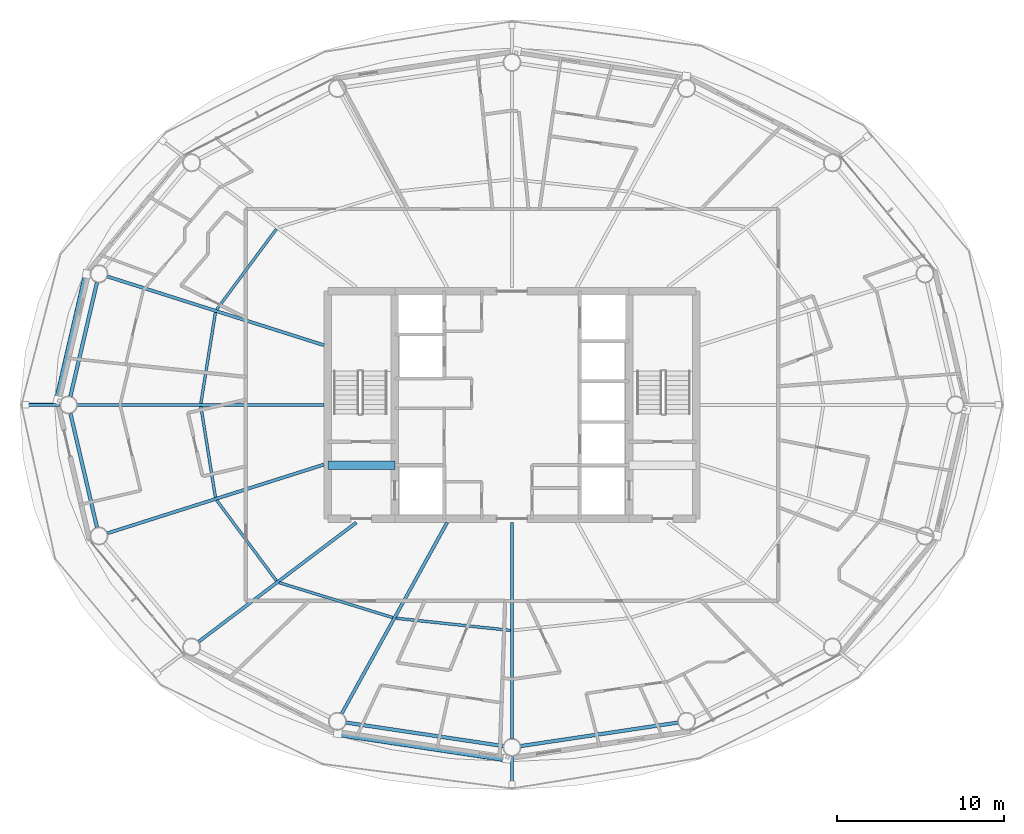
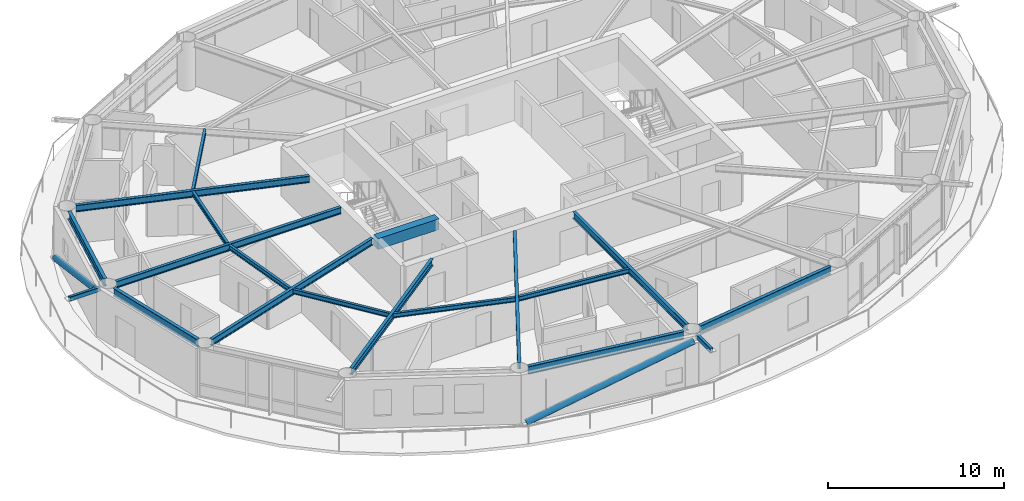
# One storey, part 4 of 28: 17 beams, 4 members.
"""IFC4 building model written with IfcOpenShell, lengths in metres."""

from ifc_helpers import new_model, si_unit, direction, frame, origin, origin_2d, place, context, subcontext, project, spatial, rectangle, hollow_rectangle, hollow_circle, i_section, extrude, material, material_profile, profile_set, type_object, element, save


model = new_model("IFC4")

# Units and contexts
model_context = context("Model", 3, precision=1e-05, world=origin(), true_north=direction((0.0, 1.0)))
body_context = subcontext(model_context, "Body", "Model", "MODEL_VIEW")
ifc_project = project(units=[si_unit("LENGTHUNIT", "METRE"), si_unit("AREAUNIT", "SQUARE_METRE"), si_unit("VOLUMEUNIT", "CUBIC_METRE"), si_unit("PLANEANGLEUNIT", "RADIAN"), si_unit("MASSUNIT", "GRAM", prefix="KILO")], contexts=[model_context])

# Site, building, storey
site_placement = place(None, origin())
site = spatial("IfcSite", under=ifc_project, at=site_placement, CompositionType="ELEMENT")
building_placement = place(site_placement, origin())
building = spatial("IfcBuilding", under=site, at=building_placement, Name="Sarneth Arch Tower", CompositionType="ELEMENT")
storey_placement = place(building_placement, frame((0.0, 0.0, 154.199951171875)))
storey = spatial("IfcBuildingStorey", under=building, at=storey_placement, Name="L38", CompositionType="ELEMENT", Elevation=154.199951171875)

# Beams
ifc_material_1 = material(Name="Steel S355", Category="steel")
ifc_material_profile_1 = material_profile(ifc_material_1, i_section(OverallWidth=0.1669921875, OverallDepth=0.31689453125, WebThickness=0.007568359375, FlangeThickness=0.01318359375, FilletRadius=0.012939453125, at=origin_2d()), Name="W310x52")
ifc_profile_set_1 = profile_set([ifc_material_profile_1], Name="Steel S355")
beam_type_1 = type_object("IfcBeamType", Name="BM-JOIST-310B", PredefinedType="JOIST", material=ifc_profile_set_1)
beam_1_placement = place(storey_placement, frame((33.937255859375, 52.5068359375, 3.221435546875), z_axis=(-0.595933334016, -0.803033910497, 0.0), x_axis=(0.803033910497, -0.595933334016, 0.0)))
element("IfcBeam", 1, at=beam_1_placement, inside=storey, type_object=beam_type_1, Name="L38 Secondary floor joist 07", PredefinedType="JOIST", context=body_context, shape_type="SweptSolid", body=[
    extrude(i_section(OverallWidth=0.1669921875, OverallDepth=0.31689453125, WebThickness=0.007568359375, FlangeThickness=0.01318359375, FilletRadius=0.012939453125, at=origin_2d()), origin(), (0.0, 0.0, 1.0), 5.99560546875),
])
for number, where, z_axis, x_axis, name in (
    (2, (30.291259765625, 47.519287109375, 3.221435546875), (-0.158262632389, -0.987397052451, 0.0), (0.987397052451, -0.158262632389, 0.0), "L38 Secondary floor joist 08"),
    (3, (29.421875, 41.90478515625, 3.221435546875), (0.158262632389, -0.987397052451, 0.0), (0.987397052451, 0.158262632389, 0.0), "L38 Secondary floor joist 09"),
):
    element("IfcBeam", number, at=place(storey_placement, frame(where, z_axis=z_axis, x_axis=x_axis)), inside=storey, type_object=beam_type_1, Name=name, PredefinedType="JOIST", context=body_context, shape_type="SweptSolid", body=[
        extrude(i_section(OverallWidth=0.1669921875, OverallDepth=0.31689453125, WebThickness=0.007568359375, FlangeThickness=0.01318359375, FilletRadius=0.012939453125, at=origin_2d()), origin(), (0.0, 0.0, 1.0), 5.493408203125),
    ])
beam_2_placement = place(storey_placement, frame((30.3642578125, 36.307861328125, 3.221435546875), z_axis=(0.595933334016, -0.803033910497, 0.0), x_axis=(0.803033910497, 0.595933334016, 0.0)))
element("IfcBeam", 4, at=beam_2_placement, inside=storey, type_object=beam_type_1, Name="L38 Secondary floor joist 10", PredefinedType="JOIST", context=body_context, shape_type="SweptSolid", body=[
    extrude(i_section(OverallWidth=0.1669921875, OverallDepth=0.31689453125, WebThickness=0.007568359375, FlangeThickness=0.01318359375, FilletRadius=0.012939453125, at=origin_2d()), origin(), (0.0, 0.0, 1.0), 5.99560546875),
])
beam_3_placement = place(storey_placement, frame((34.087158203125, 31.38720703125, 3.221435546875), z_axis=(0.955929549608, -0.293596144707, 0.0), x_axis=(0.293596144707, 0.955929549608, 0.0)))
element("IfcBeam", 5, at=beam_3_placement, inside=storey, type_object=beam_type_1, Name="L38 Secondary floor joist 11", PredefinedType="JOIST", context=body_context, shape_type="SweptSolid", body=[
    extrude(i_section(OverallWidth=0.1669921875, OverallDepth=0.31689453125, WebThickness=0.007568359375, FlangeThickness=0.01318359375, FilletRadius=0.012939453125, at=origin_2d()), origin(), (0.0, 0.0, 1.0), 7.1123046875),
])
beam_4_placement = place(storey_placement, frame((41.07421875, 29.260498046875, 3.221435546875), z_axis=(0.994407831942, -0.105608066799, 0.0), x_axis=(0.105608066799, 0.994407831942, 0.0)))
element("IfcBeam", 6, at=beam_4_placement, inside=storey, type_object=beam_type_1, Name="L38 Secondary floor joist 12", PredefinedType="JOIST", context=body_context, shape_type="SweptSolid", body=[
    extrude(i_section(OverallWidth=0.1669921875, OverallDepth=0.31689453125, WebThickness=0.007568359375, FlangeThickness=0.01318359375, FilletRadius=0.012939453125, at=origin_2d()), origin(), (0.0, 0.0, 1.0), 6.8681640625),
])
ifc_material_2 = material(Name="Concrete C50/60", Category="concrete")
ifc_material_profile_2 = material_profile(ifc_material_2, rectangle(XDim=0.5, YDim=0.75, at=origin_2d()), Name="RC-500x750")
ifc_profile_set_2 = profile_set([ifc_material_profile_2], Name="Concrete C50/60")
beam_type_2 = type_object("IfcBeamType", Name="BM-LINTEL-RC", PredefinedType="LINTEL", material=ifc_profile_set_2)
beam_5_placement = place(storey_placement, frame((37.0, 38.39990234375, 3.005126953125), z_axis=(1.0, 0.0, 0.0), x_axis=(0.0, 1.0, 0.0)))
element("IfcBeam", 7, at=beam_5_placement, inside=storey, type_object=beam_type_2, Name="L38 Core coupling lintel W", PredefinedType="LINTEL", context=body_context, shape_type="SweptSolid", body=[
    extrude(rectangle(XDim=0.5, YDim=0.75, at=origin_2d()), origin(), (0.0, 0.0, 1.0), 4.0),
])
ifc_material_3 = material(Name="Steel S355", Category="steel")
ifc_material_profile_3 = material_profile(ifc_material_3, i_section(OverallWidth=0.193115234375, OverallDepth=0.466064453125, WebThickness=0.011474609375, FlangeThickness=0.01904296875, FilletRadius=0.01806640625, at=origin_2d()), Name="W460x97")
ifc_profile_set_3 = profile_set([ifc_material_profile_3], Name="Steel S355")
beam_type_3 = type_object("IfcBeamType", Name="BM-RAD-460C", PredefinedType="BEAM", material=ifc_profile_set_3)
beam_6_placement = place(storey_placement, frame((36.77490234375, 45.56201171875, 3.14697265625), z_axis=(-0.953163620049, 0.302455142815, 0.0), x_axis=(-0.302455142815, -0.953163620049, 0.0)))
element("IfcBeam", 8, at=beam_6_placement, inside=storey, type_object=beam_type_3, Name="L38 Radial floor girder 08", PredefinedType="BEAM", context=body_context, shape_type="SweptSolid", body=[
    extrude(i_section(OverallWidth=0.193115234375, OverallDepth=0.466064453125, WebThickness=0.011474609375, FlangeThickness=0.01904296875, FilletRadius=0.01806640625, at=origin_2d()), origin(), (0.0, 0.0, 1.0), 13.572265625),
])
beam_7_placement = place(storey_placement, frame((36.77490234375, 42.0, 3.14697265625), z_axis=(-1.0, 0.0, 0.0), x_axis=(0.0, -1.0, 0.0)))
element("IfcBeam", 9, at=beam_7_placement, inside=storey, type_object=beam_type_3, Name="L38 Radial floor girder 09", PredefinedType="BEAM", context=body_context, shape_type="SweptSolid", body=[
    extrude(i_section(OverallWidth=0.193115234375, OverallDepth=0.466064453125, WebThickness=0.011474609375, FlangeThickness=0.01904296875, FilletRadius=0.01806640625, at=origin_2d()), origin(), (0.0, 0.0, 1.0), 14.73681640625),
])
beam_8_placement = place(storey_placement, frame((36.77490234375, 38.43798828125, 3.14697265625), z_axis=(-0.953163620049, -0.302455142815, 0.0), x_axis=(0.302455142815, -0.953163620049, 0.0)))
element("IfcBeam", 10, at=beam_8_placement, inside=storey, type_object=beam_type_3, Name="L38 Radial floor girder 10", PredefinedType="BEAM", context=body_context, shape_type="SweptSolid", body=[
    extrude(i_section(OverallWidth=0.193115234375, OverallDepth=0.466064453125, WebThickness=0.011474609375, FlangeThickness=0.01904296875, FilletRadius=0.01806640625, at=origin_2d()), origin(), (0.0, 0.0, 1.0), 13.572265625),
])
beam_9_placement = place(storey_placement, frame((38.70458984375, 34.97509765625, 3.14697265625), z_axis=(-0.797786205076, -0.602940437349, 0.0), x_axis=(0.602940437349, -0.797786205076, 0.0)))
element("IfcBeam", 11, at=beam_9_placement, inside=storey, type_object=beam_type_3, Name="L38 Radial floor girder 11", PredefinedType="BEAM", context=body_context, shape_type="SweptSolid", body=[
    extrude(i_section(OverallWidth=0.193115234375, OverallDepth=0.466064453125, WebThickness=0.011474609375, FlangeThickness=0.01904296875, FilletRadius=0.01806640625, at=origin_2d()), origin(), (0.0, 0.0, 1.0), 11.806884765625),
])
beam_10_placement = place(storey_placement, frame((44.125, 34.97509765625, 3.14697265625), z_axis=(-0.483004525121, -0.87561785541, 0.0), x_axis=(0.87561785541, -0.483004525121, 0.0)))
element("IfcBeam", 12, at=beam_10_placement, inside=storey, type_object=beam_type_3, Name="L38 Radial floor girder 12", PredefinedType="BEAM", context=body_context, shape_type="SweptSolid", body=[
    extrude(i_section(OverallWidth=0.193115234375, OverallDepth=0.466064453125, WebThickness=0.011474609375, FlangeThickness=0.01904296875, FilletRadius=0.01806640625, at=origin_2d()), origin(), (0.0, 0.0, 1.0), 13.029296875),
])
beam_11_placement = place(storey_placement, frame((48.0, 34.97509765625, 3.14697265625), z_axis=(0.0, -1.0, 0.0), x_axis=(1.0, 0.0, 0.0)))
element("IfcBeam", 13, at=beam_11_placement, inside=storey, type_object=beam_type_3, Name="L38 Radial floor girder 13", PredefinedType="BEAM", context=body_context, shape_type="SweptSolid", body=[
    extrude(i_section(OverallWidth=0.193115234375, OverallDepth=0.466064453125, WebThickness=0.011474609375, FlangeThickness=0.01904296875, FilletRadius=0.01806640625, at=origin_2d()), origin(), (0.0, 0.0, 1.0), 12.900146484375),
])
ifc_material_4 = material(Name="Steel S355", Category="steel")
ifc_material_profile_4 = material_profile(ifc_material_4, i_section(OverallWidth=0.214111328125, OverallDepth=0.549072265625, WebThickness=0.0146484375, FlangeThickness=0.023681640625, FilletRadius=0.01806640625, at=origin_2d()), Name="W530x138")
ifc_profile_set_4 = profile_set([ifc_material_profile_4], Name="Steel S355")
beam_type_4 = type_object("IfcBeamType", Name="BM-RAD-530A", PredefinedType="BEAM", material=ifc_profile_set_4)
for number, where, z_axis, x_axis, name in (
    (14, (23.21875, 49.314697265625, 3.10546875), (-0.22708709918, -0.973874452579, 0.0), (0.973874452579, -0.22708709918, 0.0), "L38 Perimeter spandrel beam 08"),
    (15, (21.63232421875, 41.48876953125, 3.10546875), (0.22708709918, -0.973874452579, 0.0), (0.973874452579, 0.22708709918, 0.0), "L38 Perimeter spandrel beam 09"),
):
    element("IfcBeam", number, at=place(storey_placement, frame(where, z_axis=z_axis, x_axis=x_axis)), inside=storey, type_object=beam_type_4, Name=name, PredefinedType="BEAM", context=body_context, shape_type="SweptSolid", body=[
        extrude(i_section(OverallWidth=0.214111328125, OverallDepth=0.549072265625, WebThickness=0.0146484375, FlangeThickness=0.023681640625, FilletRadius=0.01806640625, at=origin_2d()), origin(), (0.0, 0.0, 1.0), 6.986083984375),
    ])
for number, where, z_axis, x_axis, name in (
    (16, (38.097412109375, 23.029052734375, 3.10546875), (0.989027145133, -0.14773390332, 0.0), (0.14773390332, 0.989027145133, 0.0), "L38 Perimeter spandrel beam 12"),
    (17, (48.519287109375, 21.62744140625, 3.10546875), (0.989027145133, 0.14773390332, 0.0), (-0.14773390332, 0.989027145133, 0.0), "L38 Perimeter spandrel beam 13"),
):
    element("IfcBeam", number, at=place(storey_placement, frame(where, z_axis=z_axis, x_axis=x_axis)), inside=storey, type_object=beam_type_4, Name=name, PredefinedType="BEAM", context=body_context, shape_type="SweptSolid", body=[
        extrude(i_section(OverallWidth=0.214111328125, OverallDepth=0.549072265625, WebThickness=0.0146484375, FlangeThickness=0.023681640625, FilletRadius=0.01806640625, at=origin_2d()), origin(), (0.0, 0.0, 1.0), 9.4873046875),
    ])

# Members
ifc_material_5 = material(Name="Steel S355", Category="steel")
ifc_material_profile_5 = material_profile(ifc_material_5, hollow_rectangle(XDim=0.199951171875, YDim=0.300048828125, WallThickness=0.012451171875, InnerFilletRadius=0.018798828125, OuterFilletRadius=0.03125, at=origin_2d()), Name="RHS300x200x12.5")
ifc_profile_set_5 = profile_set([ifc_material_profile_5], Name="Steel S355")
member_type_1 = type_object("IfcMemberType", Name="MEM-CANT-STRUT", PredefinedType="STRUT", material=ifc_profile_set_5)
member_1_placement = place(storey_placement, frame((20.988037109375, 42.0, 3.219970703125), z_axis=(-1.0, 0.0, 0.0), x_axis=(0.0, -1.0, 0.0)))
element("IfcMember", 18, at=member_1_placement, inside=storey, type_object=member_type_1, Name="L38 Balcony cantilever bracket 09", PredefinedType="STRUT", context=body_context, shape_type="SweptSolid", body=[
    extrude(hollow_rectangle(XDim=0.199951171875, YDim=0.300048828125, WallThickness=0.012451171875, InnerFilletRadius=0.018798828125, OuterFilletRadius=0.03125, at=origin_2d()), origin(), (0.0, 0.0, 1.0), 2.019287109375),
])
member_2_placement = place(storey_placement, frame((48.0, 21.02490234375, 3.219970703125), z_axis=(0.0, -1.0, 0.0), x_axis=(1.0, 0.0, 0.0)))
element("IfcMember", 19, at=member_2_placement, inside=storey, type_object=member_type_1, Name="L38 Balcony cantilever bracket 13", PredefinedType="STRUT", context=body_context, shape_type="SweptSolid", body=[
    extrude(hollow_rectangle(XDim=0.199951171875, YDim=0.300048828125, WallThickness=0.012451171875, InnerFilletRadius=0.018798828125, OuterFilletRadius=0.03125, at=origin_2d()), origin(), (0.0, 0.0, 1.0), 1.6806640625),
])
ifc_material_6 = material(Name="Steel S355", Category="steel")
ifc_material_profile_6 = material_profile(ifc_material_6, hollow_circle(Radius=0.202880859375, WallThickness=0.01611328125, at=origin_2d()), Name="CHS406x16")
ifc_profile_set_6 = profile_set([ifc_material_profile_6], Name="Steel S355")
member_type_2 = type_object("IfcMemberType", Name="MEM-DIAG-BR2", PredefinedType="BRACE", material=ifc_profile_set_6)
member_3_placement = place(storey_placement, frame((22.609619140625, 49.81298828125, 0.02001953125), z_axis=(-0.209646277215, -0.90691666474, 0.365445757488), x_axis=(0.974306903917, -0.225224459107, 0.0)))
element("IfcMember", 20, at=member_3_placement, inside=storey, type_object=member_type_2, Name="L38 Perimeter frame diagonal 08", PredefinedType="BRACE", context=body_context, shape_type="SweptSolid", body=[
    extrude(hollow_circle(Radius=0.202880859375, WallThickness=0.01611328125, at=origin_2d()), origin(), (0.0, 0.0, 1.0), 8.292724609375),
])
member_4_placement = place(storey_placement, frame((37.595703125, 22.387451171875, 0.02001953125), z_axis=(0.948052912183, -0.142822782379, 0.284248708942), x_axis=(0.148967610144, 0.988842075929, 0.0)))
element("IfcMember", 21, at=member_4_placement, inside=storey, type_object=member_type_2, Name="L38 Perimeter frame diagonal 12", PredefinedType="BRACE", context=body_context, shape_type="SweptSolid", body=[
    extrude(hollow_circle(Radius=0.202880859375, WallThickness=0.01611328125, at=origin_2d()), origin(), (0.0, 0.0, 1.0), 10.66162109375),
])

save(model, "model.ifc")
